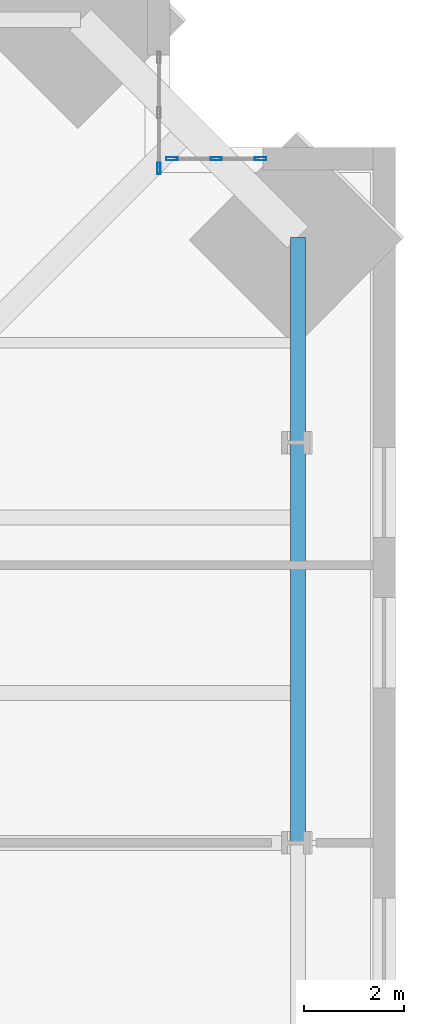
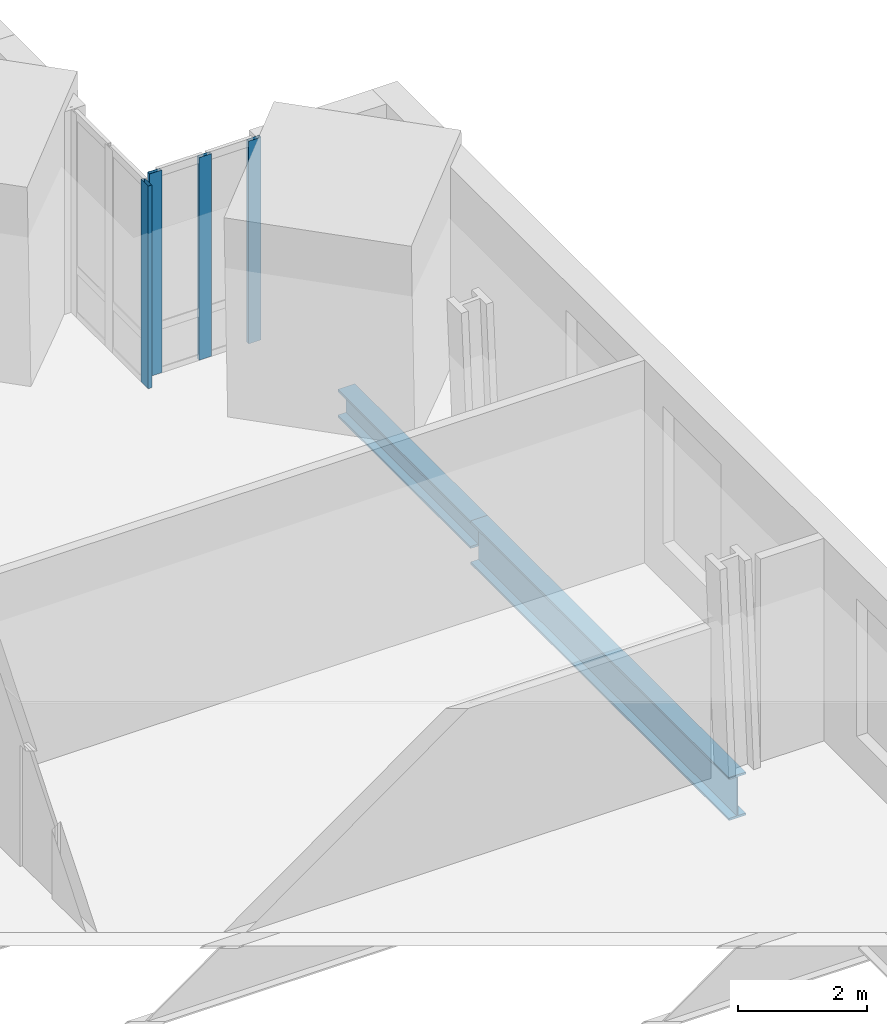
# One storey, part 10 of 18: 4 members, 2 beams, 2 elements without a shape of their own.
"""IFC4 building model written with IfcOpenShell, lengths in metres."""

import ifcopenshell
import ifcopenshell.guid

model = None  # the IFC model being written
_history = None  # IfcOwnerHistory: only IFC2X3 demands one
_inside = {}  # id of a spatial element -> (the spatial element, [elements in it])
_under = {}  # id of a project, library or spatial element -> (it, [spatial elements below it])
_declared = {}  # id of a project -> (the project, [libraries it declares])
_typed = {}  # id of a type object -> (the type object, [elements of that type])
_made_of = {}  # id of a material, layer set ... -> (it, [elements and type objects made of it])


def new_model(schema):
    """Start an empty IFC model of exactly this schema.

    Asked for "IFC4X3", IfcOpenShell would pick the latest addendum, in which some entities
    have other attributes; the version numbers below select the first issue.
    IFC2X3 requires an IfcOwnerHistory on every rooted entity: one is made here for all.
    """
    global model, _history
    if schema == "IFC4X3":
        model = ifcopenshell.file(schema_version=(4, 3, 0, 0))
    else:
        model = ifcopenshell.file(schema=schema)
    _inside.clear()
    _under.clear()
    _declared.clear()
    _typed.clear()
    _made_of.clear()
    _history = None
    if model.schema == "IFC2X3":
        org = make("IfcOrganization", Name="unknown")
        user = make(
            "IfcPersonAndOrganization",
            ThePerson=make("IfcPerson", FamilyName="unknown"),
            TheOrganization=org,
        )
        app = make(
            "IfcApplication",
            ApplicationDeveloper=org,
            Version="unknown",
            ApplicationFullName="unknown",
            ApplicationIdentifier="unknown",
        )
        _history = make(
            "IfcOwnerHistory",
            OwningUser=user,
            OwningApplication=app,
            ChangeAction="ADDED",
            CreationDate=0,
        )
    return model


def make(cls, **values):
    """One entity of the class cls with the attributes given. An attribute that is None is left unset."""
    return model.create_entity(
        cls, **{name: value for name, value in values.items() if value is not None}
    )


def rooted(cls, **values):
    """An entity with a GlobalId (a new one), such as an element, a storey or a relation."""
    return make(cls, GlobalId=ifcopenshell.guid.new(), OwnerHistory=_history, **values)


def si_unit(unit_type, name, prefix=None):
    """IfcSIUnit, for example si_unit("LENGTHUNIT", "METRE", prefix="MILLI")."""
    return make("IfcSIUnit", UnitType=unit_type, Prefix=prefix, Name=name)


def assignment(units):
    """IfcUnitAssignment: the units of a project."""
    return None if units is None else make("IfcUnitAssignment", Units=units)


def point(xyz):
    """IfcCartesianPoint."""
    return None if xyz is None else make("IfcCartesianPoint", Coordinates=xyz)


def direction(xyz):
    """IfcDirection."""
    return None if xyz is None else make("IfcDirection", DirectionRatios=xyz)


def frame(location, z_axis=None, x_axis=None):
    """IfcAxis2Placement3D, a coordinate frame: its origin and axes. An axis left out is left unset."""
    return make(
        "IfcAxis2Placement3D",
        Location=point(location),
        Axis=direction(z_axis),
        RefDirection=direction(x_axis),
    )


def frame_2d(location, x_axis=None):
    """IfcAxis2Placement2D, a coordinate frame in the plane: its origin and x axis."""
    return make(
        "IfcAxis2Placement2D", Location=point(location), RefDirection=direction(x_axis)
    )


def origin():
    """The frame at (0, 0, 0) with its axes left unset."""
    return frame((0.0, 0.0, 0.0))


def origin_2d():
    """The frame at (0, 0) in the plane with its x axis left unset."""
    return frame_2d((0.0, 0.0))


def place(relative_to, where):
    """IfcLocalPlacement: puts the frame where relative to a parent placement (None: the world)."""
    return make(
        "IfcLocalPlacement", PlacementRelTo=relative_to, RelativePlacement=where
    )


def context(
    kind, dimensions, precision=None, world=None, true_north=None, identifier=None
):
    """IfcGeometricRepresentationContext, for example the 3D "Model" context."""
    return make(
        "IfcGeometricRepresentationContext",
        ContextIdentifier=identifier,
        ContextType=kind,
        CoordinateSpaceDimension=dimensions,
        Precision=precision,
        WorldCoordinateSystem=world,
        TrueNorth=true_north,
    )


def subcontext(parent, identifier, kind, view, scale=None):
    """IfcGeometricRepresentationSubContext, for example "Body" below "Model"."""
    return make(
        "IfcGeometricRepresentationSubContext",
        ContextIdentifier=identifier,
        ContextType=kind,
        ParentContext=parent,
        TargetScale=scale,
        TargetView=view,
    )


def project(units=None, contexts=None):
    """IfcProject with its units and contexts."""
    return rooted(
        "IfcProject",
        Name="project",
        RepresentationContexts=contexts,
        UnitsInContext=assignment(units),
    )


def spatial(cls, under=None, at=None, **own):
    """A site, building, storey or space (cls), placed at a placement, below another one or the project."""
    s = rooted(cls, ObjectPlacement=at, **own)
    if under is not None:
        _under.setdefault(under.id(), (under, []))[1].append(s)
    return s


def profile(cls, at=None, kind="AREA", **sizes):
    """A parametric profile (cls). Its sizes go by their IFC names, for example OverallWidth=200.0."""
    return make(cls, ProfileType=kind, Position=at, **sizes)


def hollow_rectangle(**sizes):
    """IfcRectangleHollowProfileDef."""
    return profile("IfcRectangleHollowProfileDef", **sizes)


def i_section(**sizes):
    """IfcIShapeProfileDef."""
    return profile("IfcIShapeProfileDef", **sizes)


def extrude(swept, where, along, depth):
    """IfcExtrudedAreaSolid: the profile swept, set in the frame where, extruded along a direction by depth."""
    return make(
        "IfcExtrudedAreaSolid",
        SweptArea=swept,
        Position=where,
        ExtrudedDirection=direction(along),
        Depth=depth,
    )


def shape(context_of_items, identifier, shape_type, items):
    """IfcShapeRepresentation: the items that make up one representation, for example the "Body"."""
    return make(
        "IfcShapeRepresentation",
        ContextOfItems=context_of_items,
        RepresentationIdentifier=identifier,
        RepresentationType=shape_type,
        Items=items,
    )


def material(Name=None, Category=None):
    """IfcMaterial."""
    return make("IfcMaterial", Name=Name, Category=Category)


def material_profile(
    of_material, cross_section, Name=None, Category=None, Priority=None
):
    """IfcMaterialProfile: a cross section and its material."""
    return make(
        "IfcMaterialProfile",
        Name=Name,
        Material=of_material,
        Profile=cross_section,
        Priority=Priority,
        Category=Category,
    )


def profile_set(profiles, Name=None, composite=None):
    """IfcMaterialProfileSet."""
    return make(
        "IfcMaterialProfileSet",
        Name=Name,
        MaterialProfiles=profiles,
        CompositeProfile=composite,
    )


def made_of(thing, what):
    """Note that an element or type object is made of a material, layer set ...; save() writes the relation."""
    if what is not None:
        _made_of.setdefault(what.id(), (what, []))[1].append(thing)
    return thing


def type_object(cls, material=None, **own):
    """A type object (cls), such as IfcWallType, which elements share."""
    return made_of(rooted(cls, **own), material)


def element(
    cls,
    number,
    at=None,
    inside=None,
    cuts=None,
    type_object=None,
    material=None,
    context=None,
    identifier="Body",
    shape_type=None,
    held_by="IfcProductDefinitionShape",
    body=None,
    shapes=None,
    **own,
):
    """One element of the class cls, such as IfcWall. Its Tag is "e" and its number.

    at: its placement. inside: the storey or other place that contains it. cuts: it is an
    opening in that element (IfcRelVoidsElement). A single representation is given by context,
    identifier, shape_type and body (its items); several are given by shapes. held_by: the class
    of the entity that holds the representations. save() writes the other relations.
    """
    e = rooted(cls, Tag="e%d" % number, ObjectPlacement=at, **own)
    if body is not None:
        shapes = [shape(context, identifier, shape_type, body)]
    if shapes is not None:
        e.Representation = make(held_by, Representations=shapes)
    if inside is not None:
        _inside.setdefault(inside.id(), (inside, []))[1].append(e)
    if cuts is not None:
        rooted(
            "IfcRelVoidsElement", RelatingBuildingElement=cuts, RelatedOpeningElement=e
        )
    if type_object is not None:
        _typed.setdefault(type_object.id(), (type_object, []))[1].append(e)
    return made_of(e, material)


def aggregate(whole, parts):
    """IfcRelAggregates: a whole, such as a stair, and the parts it consists of."""
    return rooted("IfcRelAggregates", RelatingObject=whole, RelatedObjects=parts)


def save(model, path):
    """Write the relations noted so far, then the file.

    IfcRelAggregates (storeys below a building ...), IfcRelContainedInSpatialStructure (elements
    in a storey), IfcRelDefinesByType, IfcRelAssociatesMaterial and IfcRelDeclares: one each for
    every whole, place, type object, material and project.
    """
    for whole, parts in _under.values():
        aggregate(whole, parts)
    for where, things in _inside.values():
        rooted(
            "IfcRelContainedInSpatialStructure",
            RelatedElements=things,
            RelatingStructure=where,
        )
    for kind, things in _typed.values():
        rooted("IfcRelDefinesByType", RelatedObjects=things, RelatingType=kind)
    for what, things in _made_of.values():
        rooted("IfcRelAssociatesMaterial", RelatedObjects=things, RelatingMaterial=what)
    for by, libraries in _declared.values():
        rooted("IfcRelDeclares", RelatingContext=by, RelatedDefinitions=libraries)
    model.write(path)


model = new_model("IFC4")

# Units and contexts
model_context = context("Model", 3, precision=1e-05, world=origin(), true_north=direction((0.0, 1.0)))
body_context = subcontext(model_context, "Body", "Model", "MODEL_VIEW")
ifc_project = project(units=[si_unit("LENGTHUNIT", "METRE"), si_unit("AREAUNIT", "SQUARE_METRE"), si_unit("VOLUMEUNIT", "CUBIC_METRE"), si_unit("PLANEANGLEUNIT", "RADIAN"), si_unit("MASSUNIT", "GRAM", prefix="KILO")], contexts=[model_context])

# Site, building, storey
site_placement = place(None, origin())
site = spatial("IfcSite", under=ifc_project, at=site_placement, CompositionType="ELEMENT")
building_placement = place(site_placement, origin())
building = spatial("IfcBuilding", under=site, at=building_placement, Name="Peilmerk Tower", CompositionType="ELEMENT")
storey_placement = place(building_placement, frame((0.0, 0.0, 159.800048828125)))
storey = spatial("IfcBuildingStorey", under=building, at=storey_placement, Name="L33", CompositionType="ELEMENT", Elevation=159.800048828125)

# Beams
ifc_material_1 = material(Name="Steel S355", Category="steel")
ifc_material_profile_1 = material_profile(ifc_material_1, i_section(OverallWidth=0.302978515625, OverallDepth=0.81396484375, WebThickness=0.02099609375, FlangeThickness=0.0400390625, at=origin_2d()), Name="HEM 800")
ifc_profile_set_1 = profile_set([ifc_material_profile_1], Name="Steel S355")
beam_type_1 = type_object("IfcBeamType", Name="B15 HEM 800 edge beam", PredefinedType="SPANDREL", material=ifc_profile_set_1)
beam_1_placement = place(storey_placement, frame((24.453125, 8.0, -0.5771484375), z_axis=(0.0, 1.0, 0.0), x_axis=(-1.0, 0.0, 0.0)))
element("IfcBeam", 1, at=beam_1_placement, inside=storey, type_object=beam_type_1, Name="Edge beam L33", PredefinedType="SPANDREL", context=body_context, shape_type="SweptSolid", body=[
    extrude(i_section(OverallWidth=0.302978515625, OverallDepth=0.81396484375, WebThickness=0.02099609375, FlangeThickness=0.0400390625, at=origin_2d()), origin(), (0.0, 0.0, 1.0), 8.0),
])
ifc_material_profile_2 = material_profile(ifc_material_1, i_section(OverallWidth=0.305908203125, OverallDepth=0.52392578125, WebThickness=0.02099609375, FlangeThickness=0.0400390625, at=origin_2d()), Name="HEM 500")
ifc_profile_set_2 = profile_set([ifc_material_profile_2], Name="Steel S355")
beam_type_2 = type_object("IfcBeamType", Name="B33 HEM 500 edge beam", PredefinedType="SPANDREL", material=ifc_profile_set_2)
beam_2_placement = place(storey_placement, frame((24.453125, 16.0, -0.43212890625), z_axis=(0.0, 1.0, 0.0), x_axis=(-1.0, 0.0, 0.0)))
element("IfcBeam", 2, at=beam_2_placement, inside=storey, type_object=beam_type_2, Name="Edge beam L33", PredefinedType="SPANDREL", context=body_context, shape_type="SweptSolid", body=[
    extrude(i_section(OverallWidth=0.305908203125, OverallDepth=0.52392578125, WebThickness=0.02099609375, FlangeThickness=0.0400390625, at=origin_2d()), origin(), (0.0, 0.0, 1.0), 4.103271484375),
])

# Curtain wall, member
ifc_material_2 = material(Name="Aluminium stick curtain wall", Category="aluminium")
curtain_wall_type = type_object("IfcCurtainWallType", Name="CW3 stick curtain wall, 2250 module", PredefinedType="NOTDEFINED", material=ifc_material_2)
curtain_wall_1_placement = place(storey_placement, origin())
curtain_wall_1 = element("IfcCurtainWall", 3, at=curtain_wall_1_placement, inside=storey, type_object=curtain_wall_type, Name="Curtain wall CW3 NEA L33", PredefinedType="NOTDEFINED")
ifc_material_3 = material(Name="Aluminium EN AW-6063 T6", Category="aluminium")
ifc_material_profile_3 = material_profile(ifc_material_3, hollow_rectangle(XDim=0.06494140625, YDim=0.22509765625, WallThickness=0.00390625, at=origin_2d()), Name="AL 225x65x4")
ifc_profile_set_3 = profile_set([ifc_material_profile_3], Name="Aluminium EN AW-6063 T6")
member_type = type_object("IfcMemberType", Name="CW3-M AL 225x65x4 mullion", PredefinedType="MULLION", material=ifc_profile_set_3)
member_1_placement = place(storey_placement, frame((21.675048828125, 21.482421875, 0.0), z_axis=(0.0, 0.0, 1.0), x_axis=(-1.0, 0.0, 0.0)))
member_1 = element("IfcMember", 4, at=member_1_placement, type_object=member_type, Name="CW3 mullion 1", PredefinedType="MULLION", context=body_context, shape_type="SweptSolid", body=[
    extrude(hollow_rectangle(XDim=0.06494140625, YDim=0.22509765625, WallThickness=0.00390625, at=origin_2d()), origin(), (0.0, 0.0, 1.0), 3.829833984375),
])
aggregate(curtain_wall_1, [member_1])

# Curtain wall, members
curtain_wall_2_placement = place(storey_placement, origin())
curtain_wall_2 = element("IfcCurtainWall", 5, at=curtain_wall_2_placement, inside=storey, type_object=curtain_wall_type, Name="Curtain wall CW3 NEB L33", PredefinedType="NOTDEFINED")
member_2_placement = place(storey_placement, frame((21.9326171875, 21.675048828125, 0.0), z_axis=(0.0, 0.0, 1.0), x_axis=(0.0, 1.0, 0.0)))
member_2 = element("IfcMember", 6, at=member_2_placement, type_object=member_type, Name="CW3 mullion 1", PredefinedType="MULLION", context=body_context, shape_type="SweptSolid", body=[
    extrude(hollow_rectangle(XDim=0.06494140625, YDim=0.22509765625, WallThickness=0.00390625, at=origin_2d()), origin(), (0.0, 0.0, 1.0), 3.829833984375),
])
member_3_placement = place(storey_placement, frame((22.8193359375, 21.675048828125, 0.0), z_axis=(0.0, 0.0, 1.0), x_axis=(0.0, 1.0, 0.0)))
member_3 = element("IfcMember", 7, at=member_3_placement, type_object=member_type, Name="CW3 mullion 2", PredefinedType="MULLION", context=body_context, shape_type="SweptSolid", body=[
    extrude(hollow_rectangle(XDim=0.06494140625, YDim=0.22509765625, WallThickness=0.00390625, at=origin_2d()), origin(), (0.0, 0.0, 1.0), 3.829833984375),
])
member_4_placement = place(storey_placement, frame((23.706298828125, 21.675048828125, 0.0), z_axis=(0.0, 0.0, 1.0), x_axis=(0.0, 1.0, 0.0)))
member_4 = element("IfcMember", 8, at=member_4_placement, type_object=member_type, Name="CW3 mullion 3", PredefinedType="MULLION", context=body_context, shape_type="SweptSolid", body=[
    extrude(hollow_rectangle(XDim=0.06494140625, YDim=0.22509765625, WallThickness=0.00390625, at=origin_2d()), origin(), (0.0, 0.0, 1.0), 3.829833984375),
])
aggregate(curtain_wall_2, [member_2, member_3, member_4])

save(model, "model.ifc")
